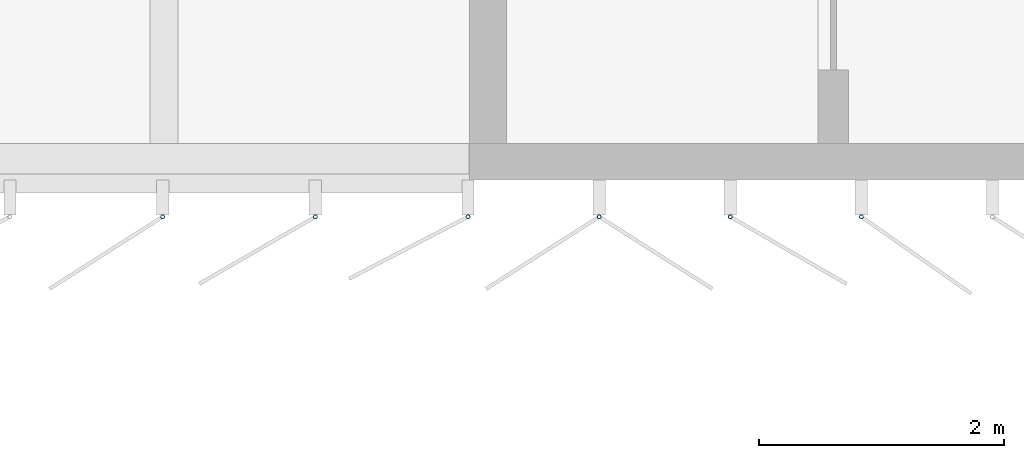
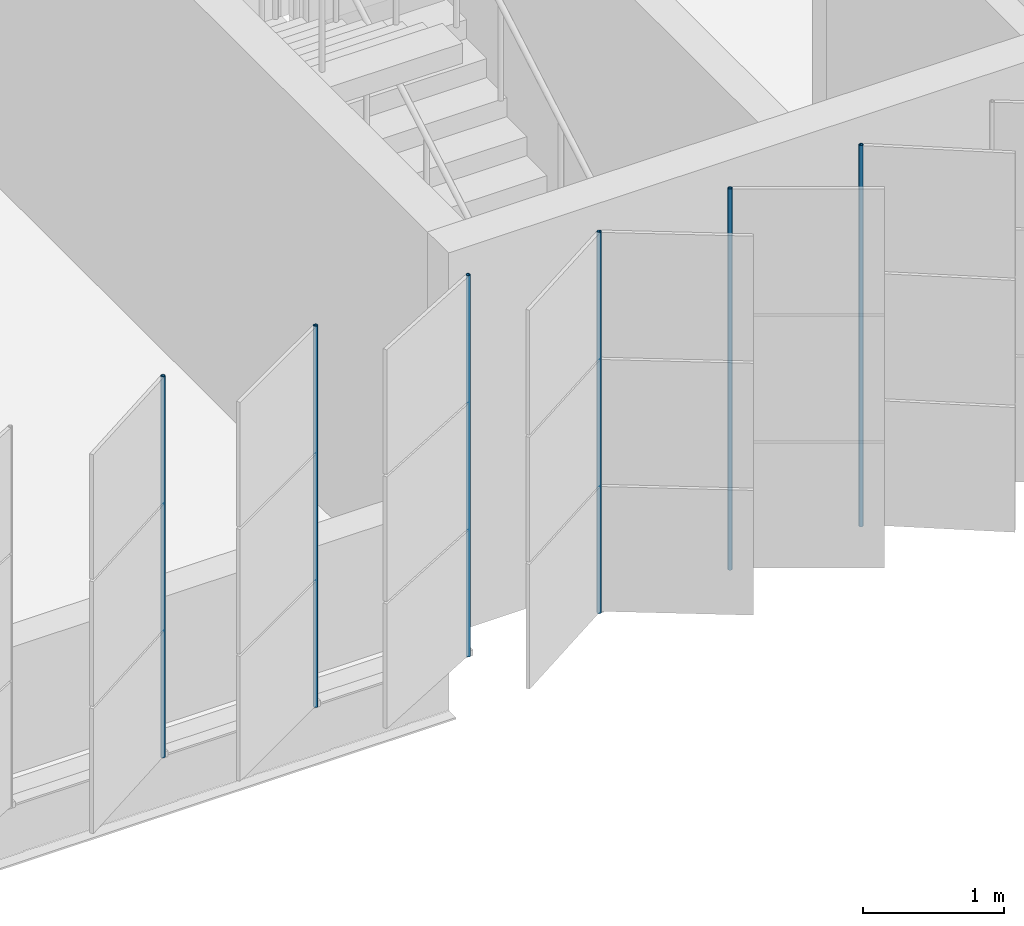
# One storey, part 101 of 214: 6 discrete accessories.
"""IFC4 building model written with IfcOpenShell, lengths in metres."""

from ifc_helpers import new_model, si_unit, direction, frame, origin, origin_2d, place, context, subcontext, project, spatial, hollow_circle, extrude, material, material_profile, profile_set, type_object, element, save


model = new_model("IFC4")

# Units and contexts
model_context = context("Model", 3, precision=1e-05, world=origin(), true_north=direction((0.0, 1.0)))
body_context = subcontext(model_context, "Body", "Model", "MODEL_VIEW")
ifc_project = project(units=[si_unit("LENGTHUNIT", "METRE"), si_unit("AREAUNIT", "SQUARE_METRE"), si_unit("VOLUMEUNIT", "CUBIC_METRE"), si_unit("PLANEANGLEUNIT", "RADIAN"), si_unit("MASSUNIT", "GRAM", prefix="KILO")], contexts=[model_context])

# Site, building, storey
site_placement = place(None, origin())
site = spatial("IfcSite", under=ifc_project, at=site_placement, CompositionType="ELEMENT")
building_placement = place(site_placement, origin())
building = spatial("IfcBuilding", under=site, at=building_placement, Name="Parallax Yard Mobility Hub", CompositionType="ELEMENT")
storey_placement = place(building_placement, frame((0.0, 0.0, 3.300048828125)))
storey = spatial("IfcBuildingStorey", under=building, at=storey_placement, Name="L01", CompositionType="ELEMENT", Elevation=3.300048828125)

# Discrete accessories
ifc_material = material(Name="Steel ASTM A500 Gr C, hot-dip galvanised", Category="steel")
ifc_material_profile = material_profile(ifc_material, hollow_circle(Radius=0.016845703125, WallThickness=0.003173828125, at=origin_2d()), Name="CHS 33.7x3.2")
ifc_profile_set = profile_set([ifc_material_profile], Name="Steel ASTM A500 Gr C, hot-dip galvanised")
discrete_accessory_type = type_object("IfcDiscreteAccessoryType", Name="Hinge post CHS 33.7x3.2", PredefinedType="BRACKET", material=ifc_profile_set)
for number, where, z_axis, x_axis, name in (
    (1, (124.988525390625, 112.199951171875, 0.0), (0.0, 0.0, 1.0), (1.0, 0.0, 0.0), "Hinge post bay 12.5 level L01"),
    (2, (126.23779296875, 112.199951171875, 0.0), (0.0, 0.0, 1.0), (1.0, 0.0, 0.0), "Hinge post bay 12.6 level L01"),
    (3, (127.487060546875, 112.199951171875, 0.0), (0.0, 0.0, 1.0), (1.0, 0.0, 0.0), "Hinge post bay 13.1 level L01"),
    (4, (128.55908203125, 112.199951171875, 0.0), (0.0, 0.0, 1.0), (1.0, 0.0, 0.0), "Hinge post bay 13.2 level L01"),
    (5, (129.63134765625, 112.199951171875, 0.0), (0.0, 0.0, 1.0), (1.0, 0.0, 0.0), "Hinge post bay 13.3 level L01"),
    (6, (130.70361328125, 112.199951171875, 0.0), (0.0, 0.0, 1.0), (1.0, 0.0, 0.0), "Hinge post bay 13.4 level L01"),
):
    element("IfcDiscreteAccessory", number, at=place(storey_placement, frame(where, z_axis=z_axis, x_axis=x_axis)), inside=storey, type_object=discrete_accessory_type, Name=name, PredefinedType="BRACKET", context=body_context, shape_type="SweptSolid", body=[
        extrude(hollow_circle(Radius=0.016845703125, WallThickness=0.003173828125, at=origin_2d()), origin(), (0.0, 0.0, 1.0), 3.300048828125),
    ])

save(model, "model.ifc")
